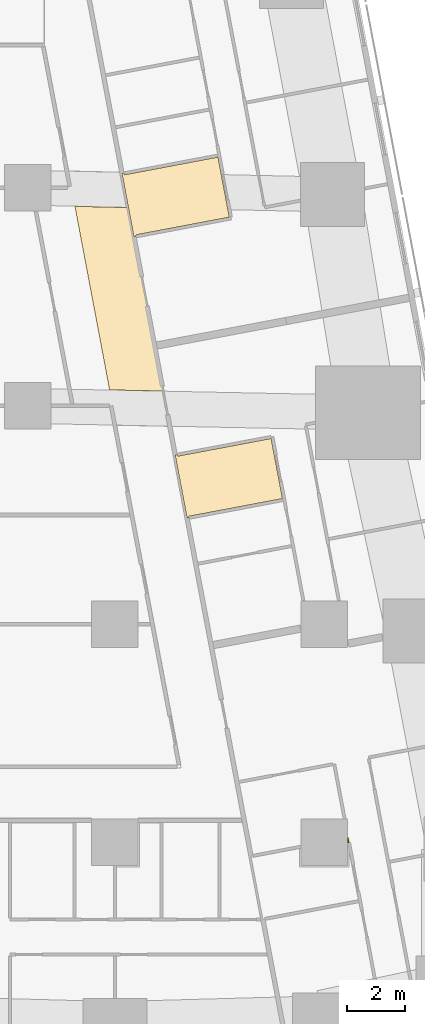
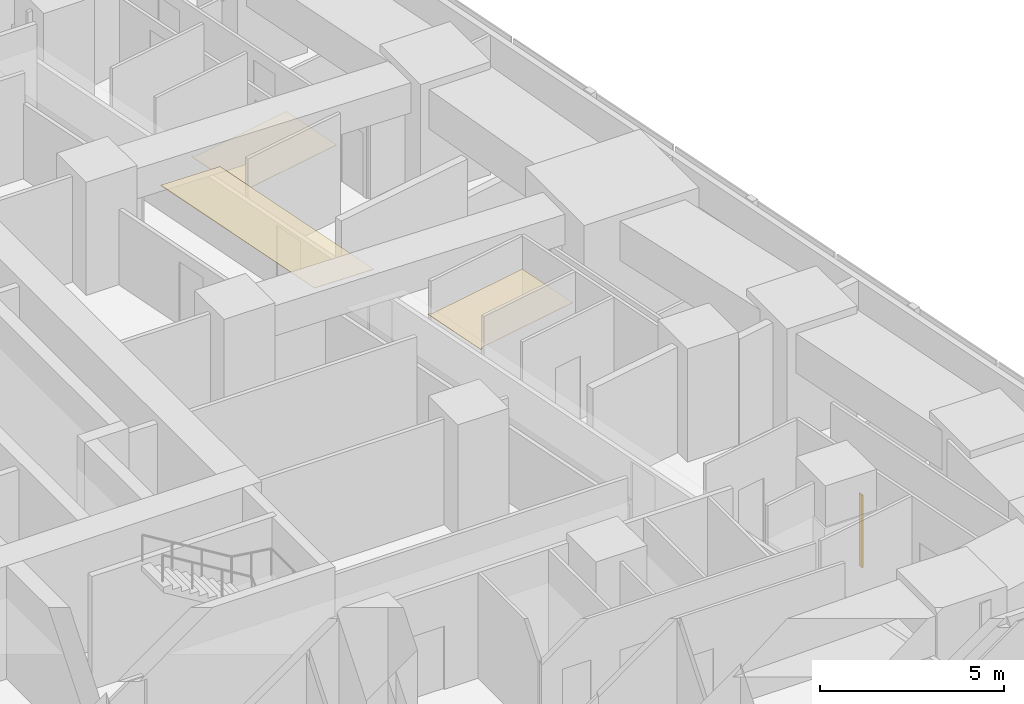
# One storey, part 14 of 15: 4 coverings.
"""IFC4 building model written with IfcOpenShell, lengths in metres."""

from ifc_helpers import new_model, si_unit, direction, frame, origin, place, context, subcontext, project, spatial, polyline, outline, extrude, material, layer, layer_set, type_object, element, save


model = new_model("IFC4")

# Units and contexts
model_context = context("Model", 3, precision=1e-05, world=origin(), true_north=direction((0.0, 1.0)))
body_context = subcontext(model_context, "Body", "Model", "MODEL_VIEW")
ifc_project = project(units=[si_unit("LENGTHUNIT", "METRE"), si_unit("AREAUNIT", "SQUARE_METRE"), si_unit("VOLUMEUNIT", "CUBIC_METRE"), si_unit("PLANEANGLEUNIT", "RADIAN"), si_unit("MASSUNIT", "GRAM", prefix="KILO")], contexts=[model_context])

# Site, building, storey
site_placement = place(None, origin())
site = spatial("IfcSite", under=ifc_project, at=site_placement, CompositionType="ELEMENT")
building_placement = place(site_placement, origin())
building = spatial("IfcBuilding", under=site, at=building_placement, Name="Sheger Commons Tower", CompositionType="ELEMENT")
storey_placement = place(building_placement, frame((0.0, 0.0, 85.39990234375)))
storey = spatial("IfcBuildingStorey", under=building, at=storey_placement, Name="L21", CompositionType="ELEMENT", Elevation=85.39990234375)

# Coverings
ifc_material_1 = material(Name="Moisture-resistant gypsum plasterboard 15 mm on a suspended galvanised steel grid", Category="steel")
ifc_layer_1 = layer(ifc_material_1, 0.014892578125)
ifc_layer_set_1 = layer_set([ifc_layer_1], Name="MOISTURE-RESISTANT CEILING 15")
covering_type_1 = type_object("IfcCoveringType", Name="MOISTURE-RESISTANT CEILING 15", PredefinedType="CEILING", material=ifc_layer_set_1)
covering_1_placement = place(storey_placement, frame((0.0, 0.0, 2.400146484375)))
element("IfcCovering", 1, at=covering_1_placement, inside=storey, type_object=covering_type_1, Name="L21-07.B1 ceiling", PredefinedType="CEILING", context=body_context, shape_type="SweptSolid", body=[
    extrude(outline(polyline([(36.656982421875, 28.31005859375), (36.72607421875, 28.322998046875), (36.716064453125, 28.376953125), (39.93310546875, 28.986083984375), (39.54296875, 31.049072265625), (36.325927734375, 30.44091796875), (36.31591796875, 30.4951171875), (36.24609375, 30.48193359375), (36.656982421875, 28.31005859375)])), origin(), (0.0, 0.0, 1.0), 0.014892578125),
])
covering_2_placement = place(storey_placement, frame((0.0, 0.0, 2.400146484375)))
element("IfcCovering", 2, at=covering_2_placement, inside=storey, type_object=covering_type_1, Name="L21-08.B1 ceiling", PredefinedType="CEILING", context=body_context, shape_type="SweptSolid", body=[
    extrude(outline(polyline([(38.48291015625, 18.639892578125), (38.552001953125, 18.653076171875), (38.5419921875, 18.7060546875), (41.760009765625, 19.31396484375), (41.3701171875, 21.3779296875), (38.152099609375, 20.77001953125), (38.14208984375, 20.823974609375), (38.072998046875, 20.81103515625), (38.48291015625, 18.639892578125)])), origin(), (0.0, 0.0, 1.0), 0.014892578125),
])
ifc_material_2 = material(Name="Gypsum plasterboard 15 mm on a suspended steel grid", Category="steel")
ifc_layer_2 = layer(ifc_material_2, 0.014892578125)
ifc_layer_set_2 = layer_set([ifc_layer_2], Name="SUSPENDED CEILING 15")
covering_type_2 = type_object("IfcCoveringType", Name="SUSPENDED CEILING 15", PredefinedType="CEILING", material=ifc_layer_set_2)
covering_3_placement = place(storey_placement, frame((0.0, 0.0, 2.7001953125)))
element("IfcCovering", 3, at=covering_3_placement, inside=storey, type_object=covering_type_2, Name="L21-CO ceiling", PredefinedType="CEILING", context=body_context, shape_type="SweptSolid", body=[
    extrude(outline(polyline([(37.657958984375, 23.010986328125), (36.466064453125, 29.31591796875), (34.626953125, 29.35791015625), (35.819091796875, 23.048095703125), (37.657958984375, 23.010986328125)])), origin(), (0.0, 0.0, 1.0), 0.014892578125),
])
ifc_material_3 = material(Name="Moisture-resistant gypsum board 12.5 mm on 25 mm treated timber battens, tanked and tiled", Category="wood")
ifc_layer_3 = layer(ifc_material_3, 0.050048828125)
ifc_layer_set_3 = layer_set([ifc_layer_3], Name="WET-ROOM COLUMN LINING")
covering_type_3 = type_object("IfcCoveringType", Name="WET-ROOM COLUMN LINING", PredefinedType="CLADDING", material=ifc_layer_set_3)
covering_4_placement = place(storey_placement, origin())
element("IfcCovering", 4, at=covering_4_placement, inside=storey, type_object=covering_type_3, Name="Bathroom column lining C9 L21", PredefinedType="CLADDING", context=body_context, shape_type="SweptSolid", body=[
    extrude(outline(polyline([(44.0, 7.652099609375), (44.01806640625, 7.655029296875), (44.049072265625, 7.489990234375), (44.0, 7.48095703125), (44.0, 7.652099609375)])), origin(), (0.0, 0.0, 1.0), 2.400146484375),
])

save(model, "model.ifc")
